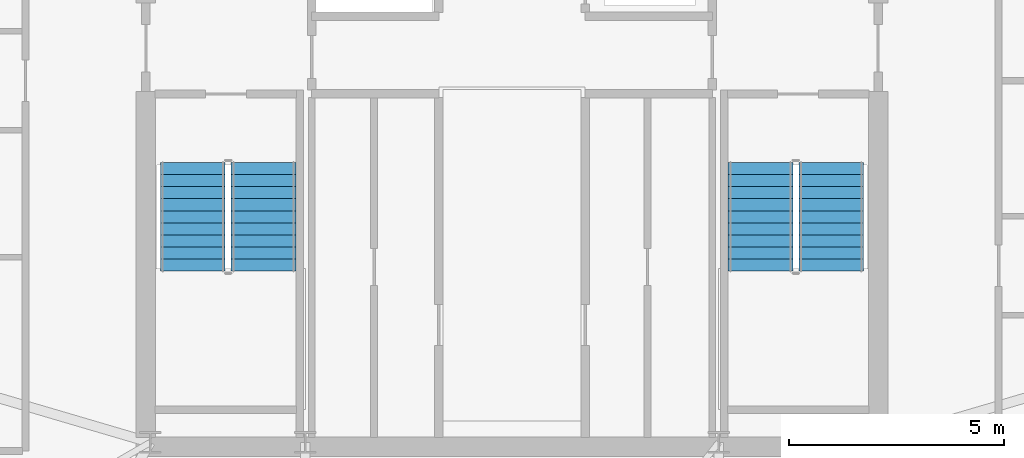
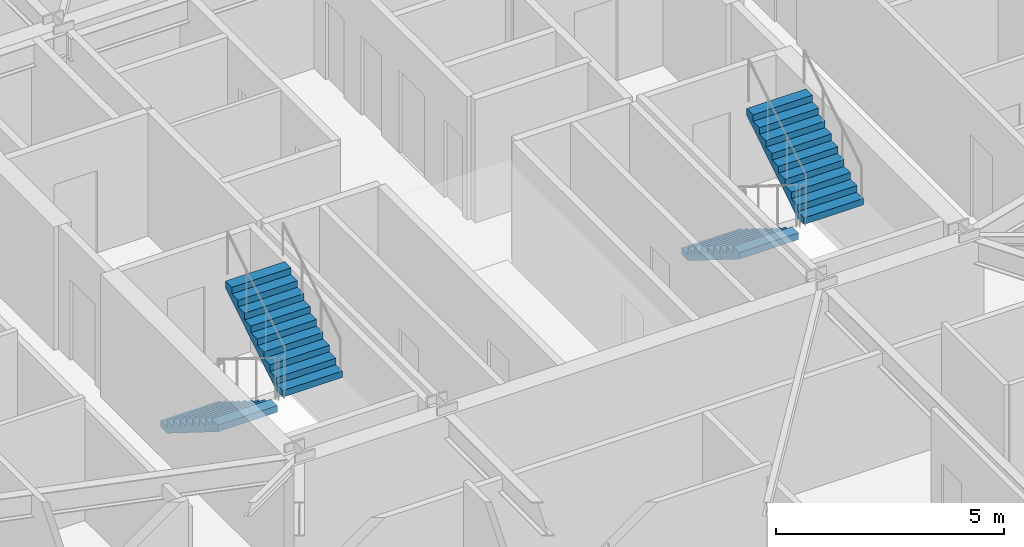
# One storey, part 12 of 16: 4 stair flights, 2 elements without a shape of their own.
"""IFC4 building model written with IfcOpenShell, lengths in metres."""

from ifc_helpers import new_model, si_unit, direction, frame, origin, place, context, subcontext, project, spatial, polyline, outline, extrude, material, type_object, element, aggregate, save


model = new_model("IFC4")

# Units and contexts
model_context = context("Model", 3, precision=1e-05, world=origin(), true_north=direction((0.0, 1.0)))
body_context = subcontext(model_context, "Body", "Model", "MODEL_VIEW")
ifc_project = project(units=[si_unit("LENGTHUNIT", "METRE"), si_unit("AREAUNIT", "SQUARE_METRE"), si_unit("VOLUMEUNIT", "CUBIC_METRE"), si_unit("PLANEANGLEUNIT", "RADIAN"), si_unit("MASSUNIT", "GRAM", prefix="KILO")], contexts=[model_context])

# Site, building, storey
site_placement = place(None, origin())
site = spatial("IfcSite", under=ifc_project, at=site_placement, CompositionType="ELEMENT")
building_placement = place(site_placement, origin())
building = spatial("IfcBuilding", under=site, at=building_placement, Name="Cairnveth Concourse Tower", CompositionType="ELEMENT")
storey_placement = place(building_placement, frame((0.0, 0.0, 312.0)))
storey = spatial("IfcBuildingStorey", under=building, at=storey_placement, Name="L86", CompositionType="ELEMENT", Elevation=312.0)

# Stair, stair flights
ifc_material = material(Name="Precast concrete N50 (50 MPa)", Category="concrete")
stair_type = type_object("IfcStairType", Name="CORE DOG-LEG FIRE STAIR 1500", PredefinedType="HALF_TURN_STAIR", material=ifc_material)
stair_1_placement = place(storey_placement, origin())
stair_1 = element("IfcStair", 1, at=stair_1_placement, inside=storey, type_object=stair_type, Name="L86 Fire-Isolated Stair ST-1", PredefinedType="HALF_TURN_STAIR")
stair_flight_type = type_object("IfcStairFlightType", Name="PRECAST CONCRETE STAIR FLIGHT 1500", PredefinedType="STRAIGHT", material=ifc_material)
stair_flight_1_placement = place(storey_placement, frame((44.590087890625, 37.10009765625, 0.0), z_axis=(0.0, 0.0, 1.0), x_axis=(0.0, -1.0, 0.0)))
stair_flight_1 = element("IfcStairFlight", 2, at=stair_flight_1_placement, type_object=stair_flight_type, Name="ST-1 flight 1", NumberOfRisers=10, NumberOfTreads=9, PredefinedType="STRAIGHT", RiserHeight=0.175, TreadLength=0.28, context=body_context, shape_type="SweptSolid", body=[
    extrude(outline(polyline([(0.0, 0.0), (0.0, 0.175048828125), (0.280029296875, 0.175048828125), (0.280029296875, 0.35009765625), (0.56005859375, 0.35009765625), (0.56005859375, 0.52490234375), (0.840087890625, 0.52490234375), (0.840087890625, 0.699951171875), (1.1201171875, 0.699951171875), (1.1201171875, 0.875), (1.39990234375, 0.875), (1.39990234375, 1.050048828125), (1.679931640625, 1.050048828125), (1.679931640625, 1.22509765625), (1.9599609375, 1.22509765625), (1.9599609375, 1.39990234375), (2.239990234375, 1.39990234375), (2.239990234375, 1.574951171875), (2.52001953125, 1.574951171875), (2.52001953125, 1.75), (2.52001953125, 1.398193359375), (0.28271484375, 0.0), (0.0, 0.0)])), frame((0.0, 0.75, 0.0), z_axis=(0.0, -1.0, 0.0), x_axis=(1.0, 0.0, 0.0)), (0.0, 0.0, 1.0), 1.5),
])
stair_flight_2_placement = place(storey_placement, frame((46.22998046875, 34.580078125, 1.75), z_axis=(0.0, 0.0, 1.0), x_axis=(0.0, 1.0, 0.0)))
stair_flight_2 = element("IfcStairFlight", 3, at=stair_flight_2_placement, type_object=stair_flight_type, Name="ST-1 flight 2", NumberOfRisers=10, NumberOfTreads=9, PredefinedType="STRAIGHT", RiserHeight=0.175, TreadLength=0.28, context=body_context, shape_type="SweptSolid", body=[
    extrude(outline(polyline([(0.0, 0.0), (0.0, 0.175048828125), (0.280029296875, 0.175048828125), (0.280029296875, 0.35009765625), (0.56005859375, 0.35009765625), (0.56005859375, 0.52490234375), (0.840087890625, 0.52490234375), (0.840087890625, 0.699951171875), (1.1201171875, 0.699951171875), (1.1201171875, 0.875), (1.39990234375, 0.875), (1.39990234375, 1.050048828125), (1.679931640625, 1.050048828125), (1.679931640625, 1.22509765625), (1.9599609375, 1.22509765625), (1.9599609375, 1.39990234375), (2.239990234375, 1.39990234375), (2.239990234375, 1.574951171875), (2.52001953125, 1.574951171875), (2.52001953125, 1.75), (2.52001953125, 1.398193359375), (0.28271484375, 0.0), (0.0, 0.0)])), frame((0.0, 0.75, 0.0), z_axis=(0.0, -1.0, 0.0), x_axis=(1.0, 0.0, 0.0)), (0.0, 0.0, 1.0), 1.5),
])
aggregate(stair_1, [stair_flight_1, stair_flight_2])

stair_2_placement = place(storey_placement, origin())
stair_2 = element("IfcStair", 4, at=stair_2_placement, inside=storey, type_object=stair_type, Name="L86 Fire-Isolated Stair ST-2", PredefinedType="HALF_TURN_STAIR")
stair_flight_3_placement = place(storey_placement, frame((57.77001953125, 37.10009765625, 0.0), z_axis=(0.0, 0.0, 1.0), x_axis=(0.0, -1.0, 0.0)))
stair_flight_3 = element("IfcStairFlight", 5, at=stair_flight_3_placement, type_object=stair_flight_type, Name="ST-2 flight 1", NumberOfRisers=10, NumberOfTreads=9, PredefinedType="STRAIGHT", RiserHeight=0.175, TreadLength=0.28, context=body_context, shape_type="SweptSolid", body=[
    extrude(outline(polyline([(0.0, 0.0), (0.0, 0.175048828125), (0.280029296875, 0.175048828125), (0.280029296875, 0.35009765625), (0.56005859375, 0.35009765625), (0.56005859375, 0.52490234375), (0.840087890625, 0.52490234375), (0.840087890625, 0.699951171875), (1.1201171875, 0.699951171875), (1.1201171875, 0.875), (1.39990234375, 0.875), (1.39990234375, 1.050048828125), (1.679931640625, 1.050048828125), (1.679931640625, 1.22509765625), (1.9599609375, 1.22509765625), (1.9599609375, 1.39990234375), (2.239990234375, 1.39990234375), (2.239990234375, 1.574951171875), (2.52001953125, 1.574951171875), (2.52001953125, 1.75), (2.52001953125, 1.398193359375), (0.28271484375, 0.0), (0.0, 0.0)])), frame((0.0, 0.75, 0.0), z_axis=(0.0, -1.0, 0.0), x_axis=(1.0, 0.0, 0.0)), (0.0, 0.0, 1.0), 1.5),
])
stair_flight_4_placement = place(storey_placement, frame((59.409912109375, 34.580078125, 1.75), z_axis=(0.0, 0.0, 1.0), x_axis=(0.0, 1.0, 0.0)))
stair_flight_4 = element("IfcStairFlight", 6, at=stair_flight_4_placement, type_object=stair_flight_type, Name="ST-2 flight 2", NumberOfRisers=10, NumberOfTreads=9, PredefinedType="STRAIGHT", RiserHeight=0.175, TreadLength=0.28, context=body_context, shape_type="SweptSolid", body=[
    extrude(outline(polyline([(0.0, 0.0), (0.0, 0.175048828125), (0.280029296875, 0.175048828125), (0.280029296875, 0.35009765625), (0.56005859375, 0.35009765625), (0.56005859375, 0.52490234375), (0.840087890625, 0.52490234375), (0.840087890625, 0.699951171875), (1.1201171875, 0.699951171875), (1.1201171875, 0.875), (1.39990234375, 0.875), (1.39990234375, 1.050048828125), (1.679931640625, 1.050048828125), (1.679931640625, 1.22509765625), (1.9599609375, 1.22509765625), (1.9599609375, 1.39990234375), (2.239990234375, 1.39990234375), (2.239990234375, 1.574951171875), (2.52001953125, 1.574951171875), (2.52001953125, 1.75), (2.52001953125, 1.398193359375), (0.28271484375, 0.0), (0.0, 0.0)])), frame((0.0, 0.75, 0.0), z_axis=(0.0, -1.0, 0.0), x_axis=(1.0, 0.0, 0.0)), (0.0, 0.0, 1.0), 1.5),
])
aggregate(stair_2, [stair_flight_3, stair_flight_4])

save(model, "model.ifc")
